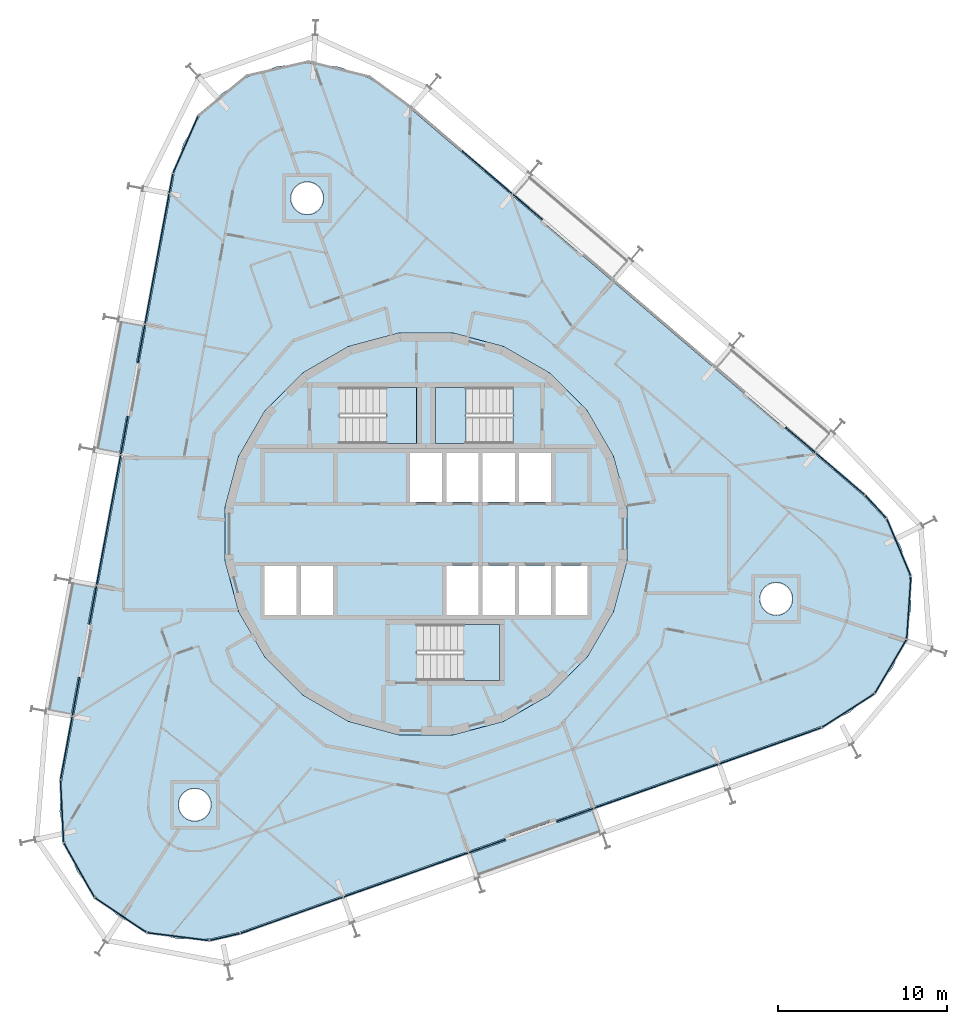
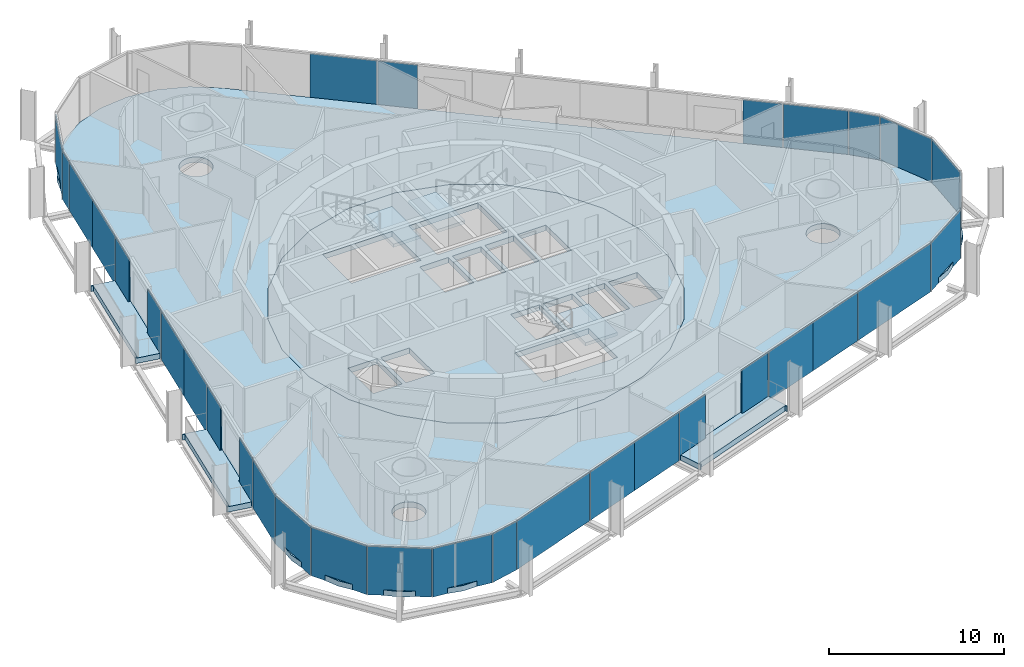
# One storey, part 9 of 17: 33 plates, 8 slabs, 9 elements without a shape of their own.
"""IFC4 building model written with IfcOpenShell, lengths in metres."""

from ifc_helpers import new_model, si_unit, direction, frame, origin, origin_2d, place, context, subcontext, project, spatial, polyline, rectangle, outline, extrude, material, layer, layer_set, type_object, element, aggregate, save


model = new_model("IFC4")

# Units and contexts
model_context = context("Model", 3, precision=1e-05, world=origin(), true_north=direction((0.0, 1.0)))
body_context = subcontext(model_context, "Body", "Model", "MODEL_VIEW")
ifc_project = project(units=[si_unit("LENGTHUNIT", "METRE"), si_unit("AREAUNIT", "SQUARE_METRE"), si_unit("VOLUMEUNIT", "CUBIC_METRE"), si_unit("PLANEANGLEUNIT", "RADIAN"), si_unit("MASSUNIT", "GRAM", prefix="KILO")], contexts=[model_context])

# Site, building, storey
site_placement = place(None, origin())
site = spatial("IfcSite", under=ifc_project, at=site_placement, CompositionType="ELEMENT")
building_placement = place(site_placement, origin())
building = spatial("IfcBuilding", under=site, at=building_placement, Name="Spindle Arch Residences", CompositionType="ELEMENT")
storey_placement = place(building_placement, frame((0.0, 0.0, 169.199951171875)))
storey = spatial("IfcBuildingStorey", under=building, at=storey_placement, Name="L42", CompositionType="ELEMENT", Elevation=169.199951171875)

# Slabs
ifc_material_1 = material(Name="Concrete C40/50", Category="concrete")
ifc_layer_1 = layer(ifc_material_1, 0.3798828125)
ifc_layer_set_1 = layer_set([ifc_layer_1], Name="Balcony slab 380")
slab_type_1 = type_object("IfcSlabType", Name="Balcony slab 380", PredefinedType="FLOOR", material=ifc_layer_set_1)
slab_1_placement = place(storey_placement, frame((0.0, 0.0, -0.3798828125)))
element("IfcSlab", 1, at=slab_1_placement, inside=storey, type_object=slab_type_1, Name="Balcony L42 bay 14", PredefinedType="FLOOR", context=body_context, shape_type="SweptSolid", body=[
    extrude(outline(polyline([(-18.1875, 12.620849609375), (-18.201171875, 12.547119140625), (-18.0537109375, 12.519775390625), (-19.431396484375, 5.086181640625), (-19.578857421875, 5.113525390625), (-19.592529296875, 5.039794921875), (-18.12744140625, 4.768310546875), (-17.716552734375, 6.985595703125), (-17.559326171875, 6.95654296875), (-16.97607421875, 10.102783203125), (-17.133544921875, 10.132080078125), (-16.722412109375, 12.349365234375), (-18.1875, 12.620849609375)])), origin(), (0.0, 0.0, 1.0), 0.3798828125),
])
slab_2_placement = place(storey_placement, frame((0.0, 0.0, -0.3798828125)))
element("IfcSlab", 2, at=slab_2_placement, inside=storey, type_object=slab_type_1, Name="Balcony L42 bay 16", PredefinedType="FLOOR", context=body_context, shape_type="SweptSolid", body=[
    extrude(outline(polyline([(-21.05224609375, -2.836181640625), (-21.06591796875, -2.909912109375), (-20.91845703125, -2.937255859375), (-22.296142578125, -10.37060546875), (-22.443603515625, -10.34326171875), (-22.457275390625, -10.4169921875), (-20.9921875, -10.6884765625), (-20.581298828125, -8.47119140625), (-20.424072265625, -8.50048828125), (-19.8408203125, -5.35400390625), (-19.998291015625, -5.324951171875), (-19.587158203125, -3.107666015625), (-21.05224609375, -2.836181640625)])), origin(), (0.0, 0.0, 1.0), 0.3798828125),
])
slab_3_placement = place(storey_placement, frame((0.0, 0.0, -0.3798828125)))
element("IfcSlab", 3, at=slab_3_placement, inside=storey, type_object=slab_type_1, Name="Balcony L42 bay 22", PredefinedType="FLOOR", context=body_context, shape_type="SweptSolid", body=[
    extrude(outline(polyline([(3.103271484375, -20.31201171875), (3.174072265625, -20.287109375), (3.1240234375, -20.145751953125), (10.250244140625, -17.6220703125), (10.300537109375, -17.763427734375), (10.37109375, -17.738525390625), (9.873779296875, -16.333984375), (7.748046875, -17.086669921875), (7.694580078125, -16.935791015625), (4.67822265625, -18.00390625), (4.731689453125, -18.15478515625), (2.60595703125, -18.907470703125), (3.103271484375, -20.31201171875)])), origin(), (0.0, 0.0, 1.0), 0.3798828125),
])
ifc_material_2 = material(Name="Concrete C50/60", Category="concrete")
ifc_layer_2 = layer(ifc_material_2, 0.3798828125)
ifc_layer_set_2 = layer_set([ifc_layer_2], Name="Core floor slab 380")
slab_type_2 = type_object("IfcSlabType", Name="Core floor slab 380", PredefinedType="FLOOR", material=ifc_layer_set_2)
slab_4_placement = place(storey_placement, frame((0.0, 0.0, -0.3798828125)))
element("IfcSlab", 4, at=slab_4_placement, inside=storey, type_object=slab_type_2, Name="Core floor L42", PredefinedType="FLOOR", context=body_context, shape_type="SweptSolid", body=[
    extrude(outline(polyline([(1.56640625, -11.897216796875), (4.59228515625, -11.086669921875), (7.30517578125, -9.520263671875), (9.520263671875, -7.30517578125), (11.086669921875, -4.59228515625), (11.897216796875, -1.56640625), (11.897216796875, 1.56640625), (11.086669921875, 4.59228515625), (9.520263671875, 7.30517578125), (7.30517578125, 9.520263671875), (4.59228515625, 11.086669921875), (1.56640625, 11.897216796875), (-1.56640625, 11.897216796875), (-4.59228515625, 11.086669921875), (-7.30517578125, 9.520263671875), (-9.520263671875, 7.30517578125), (-11.086669921875, 4.59228515625), (-11.897216796875, 1.56640625), (-11.897216796875, -1.56640625), (-11.086669921875, -4.59228515625), (-9.520263671875, -7.30517578125), (-7.30517578125, -9.520263671875), (-4.59228515625, -11.086669921875), (-1.56640625, -11.897216796875), (1.56640625, -11.897216796875)]), holes=[polyline([(-0.949951171875, 1.89990234375), (0.949951171875, 1.89990234375), (0.949951171875, 4.800048828125), (-0.949951171875, 4.800048828125), (-0.949951171875, 1.89990234375)]), polyline([(1.199951171875, 1.89990234375), (3.10009765625, 1.89990234375), (3.10009765625, 4.800048828125), (1.199951171875, 4.800048828125), (1.199951171875, 1.89990234375)]), polyline([(3.35009765625, 1.89990234375), (5.25, 1.89990234375), (5.25, 4.800048828125), (3.35009765625, 4.800048828125), (3.35009765625, 1.89990234375)]), polyline([(5.5, 1.89990234375), (7.39990234375, 1.89990234375), (7.39990234375, 4.800048828125), (5.5, 4.800048828125), (5.5, 1.89990234375)]), polyline([(-9.550048828125, -4.800048828125), (-7.64990234375, -4.800048828125), (-7.64990234375, -1.89990234375), (-9.550048828125, -1.89990234375), (-9.550048828125, -4.800048828125)]), polyline([(-7.39990234375, -4.800048828125), (-5.5, -4.800048828125), (-5.5, -1.89990234375), (-7.39990234375, -1.89990234375), (-7.39990234375, -4.800048828125)]), polyline([(1.199951171875, -4.800048828125), (3.10009765625, -4.800048828125), (3.10009765625, -1.89990234375), (1.199951171875, -1.89990234375), (1.199951171875, -4.800048828125)]), polyline([(3.35009765625, -4.800048828125), (5.25, -4.800048828125), (5.25, -1.89990234375), (3.35009765625, -1.89990234375), (3.35009765625, -4.800048828125)]), polyline([(5.5, -4.800048828125), (7.39990234375, -4.800048828125), (7.39990234375, -1.89990234375), (5.5, -1.89990234375), (5.5, -4.800048828125)]), polyline([(7.64990234375, -4.800048828125), (9.550048828125, -4.800048828125), (9.550048828125, -1.89990234375), (7.64990234375, -1.89990234375), (7.64990234375, -4.800048828125)]), polyline([(5.1298828125, 8.669921875), (0.550048828125, 8.669921875), (0.550048828125, 5.35009765625), (5.1298828125, 5.35009765625), (5.1298828125, 8.669921875)]), polyline([(-5.1298828125, 5.35009765625), (-0.550048828125, 5.35009765625), (-0.550048828125, 8.669921875), (-5.1298828125, 8.669921875), (-5.1298828125, 5.35009765625)]), polyline([(-0.530029296875, -8.669921875), (4.35009765625, -8.669921875), (4.35009765625, -5.35009765625), (-0.530029296875, -5.35009765625), (-0.530029296875, -8.669921875)])]), origin(), (0.0, 0.0, 1.0), 0.3798828125),
])

# Stair, slab
ifc_material_3 = material(Name="Concrete C50/60", Category="concrete")
stair_type = type_object("IfcStairType", Name="Exit stair 16 risers", PredefinedType="HALF_TURN_STAIR", material=ifc_material_3)
stair_1_placement = place(storey_placement, origin())
stair_1 = element("IfcStair", 5, at=stair_1_placement, inside=storey, type_object=stair_type, Name="L42 Exit stair ST1", PredefinedType="HALF_TURN_STAIR")
ifc_material_4 = material(Name="Concrete C50/60", Category="concrete")
ifc_layer_3 = layer(ifc_material_4, 0.219970703125)
ifc_layer_set_3 = layer_set([ifc_layer_3], Name="Exit stair landing 220")
slab_type_3 = type_object("IfcSlabType", Name="Exit stair landing 220", PredefinedType="LANDING", material=ifc_layer_set_3)
slab_5_placement = place(storey_placement, frame((0.0, 0.0, 1.530029296875)))
slab_5 = element("IfcSlab", 6, at=slab_5_placement, type_object=slab_type_3, Name="ST1 landing 1", PredefinedType="LANDING", context=body_context, shape_type="SweptSolid", body=[
    extrude(outline(polyline([(2.3701171875, 8.669921875), (0.550048828125, 8.669921875), (0.550048828125, 5.35009765625), (2.3701171875, 5.35009765625), (2.3701171875, 8.669921875)])), origin(), (0.0, 0.0, 1.0), 0.219970703125),
])
aggregate(stair_1, [slab_5])

stair_2_placement = place(storey_placement, origin())
stair_2 = element("IfcStair", 7, at=stair_2_placement, inside=storey, type_object=stair_type, Name="L42 Exit stair ST2", PredefinedType="HALF_TURN_STAIR")
slab_6_placement = place(storey_placement, frame((0.0, 0.0, 1.530029296875)))
slab_6 = element("IfcSlab", 8, at=slab_6_placement, type_object=slab_type_3, Name="ST2 landing 1", PredefinedType="LANDING", context=body_context, shape_type="SweptSolid", body=[
    extrude(outline(polyline([(-2.3701171875, 5.35009765625), (-0.550048828125, 5.35009765625), (-0.550048828125, 8.669921875), (-2.3701171875, 8.669921875), (-2.3701171875, 5.35009765625)])), origin(), (0.0, 0.0, 1.0), 0.219970703125),
])
aggregate(stair_2, [slab_6])

stair_3_placement = place(storey_placement, origin())
stair_3 = element("IfcStair", 9, at=stair_3_placement, inside=storey, type_object=stair_type, Name="L42 Exit stair ST3", PredefinedType="HALF_TURN_STAIR")
slab_7_placement = place(storey_placement, frame((0.0, 0.0, 1.530029296875)))
slab_7 = element("IfcSlab", 10, at=slab_7_placement, type_object=slab_type_3, Name="ST3 landing 1", PredefinedType="LANDING", context=body_context, shape_type="SweptSolid", body=[
    extrude(outline(polyline([(2.22998046875, -8.669921875), (4.35009765625, -8.669921875), (4.35009765625, -5.35009765625), (2.22998046875, -5.35009765625), (2.22998046875, -8.669921875)])), origin(), (0.0, 0.0, 1.0), 0.219970703125),
])
aggregate(stair_3, [slab_7])

# Slab
ifc_material_5 = material(Name="Concrete C40/50", Category="concrete")
ifc_layer_4 = layer(ifc_material_5, 0.3798828125)
ifc_layer_set_4 = layer_set([ifc_layer_4], Name="Floor slab 380")
slab_type_4 = type_object("IfcSlabType", Name="Floor slab 380", PredefinedType="FLOOR", material=ifc_layer_set_4)
slab_8_placement = place(storey_placement, frame((0.0, 0.0, -0.3798828125)))
element("IfcSlab", 11, at=slab_8_placement, inside=storey, type_object=slab_type_4, Name="Floor slab L42", PredefinedType="FLOOR", context=body_context, shape_type="SweptSolid", body=[
    extrude(outline(polyline([(-12.82177734375, -23.972412109375), (-14.67919921875, -23.9560546875), (-16.48291015625, -23.511962890625), (-18.135498046875, -22.663818359375), (-19.5478515625, -21.45751953125), (-20.64404296875, -19.9580078125), (-21.36474609375, -18.24609375), (-21.67138671875, -16.4140625), (-21.547119140625, -14.560791015625), (-14.89794921875, 21.3154296875), (-14.349609375, 23.090087890625), (-13.406982421875, 24.690673828125), (-12.12060546875, 26.030517578125), (-10.559814453125, 27.03759765625), (-8.808837890625, 27.65771484375), (-6.962158203125, 27.857421875), (-5.119140625, 27.62548828125), (-3.37939453125, 26.97509765625), (-1.83642578125, 25.94091796875), (25.90869140625, 2.244384765625), (27.171630859375, 0.882080078125), (28.086181640625, -0.734619140625), (28.603515625, -2.5185546875), (28.6953125, -4.373779296875), (28.356689453125, -6.2001953125), (27.606201171875, -7.8994140625), (26.48388671875, -9.37939453125), (25.05078125, -10.56103515625), (23.383544921875, -11.380126953125), (6.186279296875, -17.469970703125), (-11.0107421875, -23.559814453125), (-12.82177734375, -23.972412109375)]), holes=[polyline([(7.30517578125, -9.520263671875), (9.520263671875, -7.30517578125), (11.086669921875, -4.59228515625), (11.897216796875, -1.56640625), (11.897216796875, 1.56640625), (11.086669921875, 4.59228515625), (9.520263671875, 7.30517578125), (7.30517578125, 9.520263671875), (4.59228515625, 11.086669921875), (1.56640625, 11.897216796875), (-1.56640625, 11.897216796875), (-4.59228515625, 11.086669921875), (-7.30517578125, 9.520263671875), (-9.520263671875, 7.30517578125), (-11.086669921875, 4.59228515625), (-11.897216796875, 1.56640625), (-11.897216796875, -1.56640625), (-11.086669921875, -4.59228515625), (-9.520263671875, -7.30517578125), (-7.30517578125, -9.520263671875), (-4.59228515625, -11.086669921875), (-1.56640625, -11.897216796875), (1.56640625, -11.897216796875), (4.59228515625, -11.086669921875), (7.30517578125, -9.520263671875)]), polyline([(-12.99169921875, -16.7080078125), (-12.87060546875, -16.560302734375), (-12.780517578125, -16.3916015625), (-12.724853515625, -16.208740234375), (-12.706298828125, -16.0185546875), (-12.724853515625, -15.828369140625), (-12.780517578125, -15.6455078125), (-12.87060546875, -15.476806640625), (-12.99169921875, -15.3291015625), (-13.139404296875, -15.2080078125), (-13.30810546875, -15.117919921875), (-13.490966796875, -15.062255859375), (-13.68115234375, -15.043701171875), (-13.871337890625, -15.062255859375), (-14.05419921875, -15.117919921875), (-14.222900390625, -15.2080078125), (-14.37060546875, -15.3291015625), (-14.491943359375, -15.476806640625), (-14.58203125, -15.6455078125), (-14.637451171875, -15.828369140625), (-14.65625, -16.0185546875), (-14.637451171875, -16.208740234375), (-14.58203125, -16.3916015625), (-14.491943359375, -16.560302734375), (-14.37060546875, -16.7080078125), (-14.222900390625, -16.829345703125), (-14.05419921875, -16.91943359375), (-13.871337890625, -16.974853515625), (-13.68115234375, -16.99365234375), (-13.490966796875, -16.974853515625), (-13.30810546875, -16.91943359375), (-13.139404296875, -16.829345703125), (-12.99169921875, -16.7080078125)]), polyline([(-6.22119140625, 19.31591796875), (-6.131103515625, 19.484619140625), (-6.07568359375, 19.66748046875), (-6.056884765625, 19.857666015625), (-6.07568359375, 20.0478515625), (-6.131103515625, 20.230712890625), (-6.22119140625, 20.3994140625), (-6.342529296875, 20.547119140625), (-6.490234375, 20.668212890625), (-6.65869140625, 20.75830078125), (-6.841796875, 20.81396484375), (-7.031982421875, 20.83251953125), (-7.22216796875, 20.81396484375), (-7.405029296875, 20.75830078125), (-7.573486328125, 20.668212890625), (-7.72119140625, 20.547119140625), (-7.842529296875, 20.3994140625), (-7.9326171875, 20.230712890625), (-7.98828125, 20.0478515625), (-8.0068359375, 19.857666015625), (-7.98828125, 19.66748046875), (-7.9326171875, 19.484619140625), (-7.842529296875, 19.31591796875), (-7.72119140625, 19.168212890625), (-7.573486328125, 19.046875), (-7.405029296875, 18.956787109375), (-7.22216796875, 18.9013671875), (-7.031982421875, 18.882568359375), (-6.841796875, 18.9013671875), (-6.65869140625, 18.956787109375), (-6.490234375, 19.046875), (-6.342529296875, 19.168212890625), (-6.22119140625, 19.31591796875)]), polyline([(21.523681640625, -4.380615234375), (21.614013671875, -4.212158203125), (21.66943359375, -4.029296875), (21.68798828125, -3.839111328125), (21.66943359375, -3.648681640625), (21.614013671875, -3.4658203125), (21.523681640625, -3.29736328125), (21.402587890625, -3.149658203125), (21.2548828125, -3.0283203125), (21.086181640625, -2.938232421875), (20.9033203125, -2.8828125), (20.713134765625, -2.864013671875), (20.52294921875, -2.8828125), (20.340087890625, -2.938232421875), (20.17138671875, -3.0283203125), (20.023681640625, -3.149658203125), (19.90234375, -3.29736328125), (19.812255859375, -3.4658203125), (19.7568359375, -3.648681640625), (19.738037109375, -3.839111328125), (19.7568359375, -4.029296875), (19.812255859375, -4.212158203125), (19.90234375, -4.380615234375), (20.023681640625, -4.5283203125), (20.17138671875, -4.649658203125), (20.340087890625, -4.73974609375), (20.52294921875, -4.79541015625), (20.713134765625, -4.81396484375), (20.9033203125, -4.79541015625), (21.086181640625, -4.73974609375), (21.2548828125, -4.649658203125), (21.402587890625, -4.5283203125), (21.523681640625, -4.380615234375)])]), origin(), (0.0, 0.0, 1.0), 0.3798828125),
])

# Curtain wall, plates
ifc_material_6 = material(Name="Aluminium bronze unitised frame with tinted glass", Category="aluminium")
ifc_layer_5 = layer(ifc_material_6, 0.159912109375)
ifc_layer_set_5 = layer_set([ifc_layer_5], Name="CW-D corner wall on the fillet arcs")
curtain_wall_type_1 = type_object("IfcCurtainWallType", Name="CW-D corner wall on the fillet arcs", PredefinedType="NOTDEFINED", material=ifc_layer_set_5)
curtain_wall_1_placement = place(storey_placement, origin())
curtain_wall_1 = element("IfcCurtainWall", 12, at=curtain_wall_1_placement, inside=storey, type_object=curtain_wall_type_1, Name="CW-D L42 run 1", PredefinedType="NOTDEFINED")
ifc_material_7 = material(Name="Tinted double glazing over aluminium faced non-combustible spandrel zone (K0)", Category="aluminium")
ifc_layer_6 = layer(ifc_material_7, 0.06005859375)
ifc_layer_set_6 = layer_set([ifc_layer_6], Name="Unitised glass panel with E 60 spandrel zone")
plate_type = type_object("IfcPlateType", Name="Unitised glass panel with E 60 spandrel zone", PredefinedType="CURTAIN_PANEL", material=ifc_layer_set_6)
plate_1_placement = place(storey_placement, frame((20.36865234375, -12.53271484375, -0.3798828125), z_axis=(0.0, 0.0, 1.0), x_axis=(0.942641491092, 0.333806859234, 0.0)))
plate_1 = element("IfcPlate", 13, at=plate_1_placement, type_object=plate_type, Name="CW-D unit 00", PredefinedType="CURTAIN_PANEL", context=body_context, shape_type="SweptSolid", body=[
    extrude(rectangle(XDim=6.3935546875, YDim=0.06005859375, at=origin_2d()), origin(), (0.0, 0.0, 1.0), 3.3798828125),
])
plate_2_placement = place(storey_placement, frame((24.97607421875, -10.445068359375, -0.3798828125), z_axis=(0.0, 0.0, 1.0), x_axis=(0.840251309898, 0.542197137778, 0.0)))
plate_2 = element("IfcPlate", 14, at=plate_2_placement, type_object=plate_type, Name="CW-D unit 01", PredefinedType="CURTAIN_PANEL", context=body_context, shape_type="SweptSolid", body=[
    extrude(rectangle(XDim=3.666748046875, YDim=0.06005859375, at=origin_2d()), origin(), (0.0, 0.0, 1.0), 3.3798828125),
])
plate_3_placement = place(storey_placement, frame((27.487548828125, -7.829345703125, -0.3798828125), z_axis=(0.0, 0.0, 1.0), x_axis=(0.507538365713, 0.86162915882, 0.0)))
plate_3 = element("IfcPlate", 15, at=plate_3_placement, type_object=plate_type, Name="CW-D unit 02", PredefinedType="CURTAIN_PANEL", context=body_context, shape_type="SweptSolid", body=[
    extrude(rectangle(XDim=3.666748046875, YDim=0.06005859375, at=origin_2d()), origin(), (0.0, 0.0, 1.0), 3.3798828125),
])
plate_4_placement = place(storey_placement, frame((28.557861328125, -4.364501953125, -0.3798828125), z_axis=(0.0, 0.0, 1.0), x_axis=(0.066854392204, 0.997762742461, 0.0)))
plate_4 = element("IfcPlate", 16, at=plate_4_placement, type_object=plate_type, Name="CW-D unit 03", PredefinedType="CURTAIN_PANEL", context=body_context, shape_type="SweptSolid", body=[
    extrude(rectangle(XDim=3.666748046875, YDim=0.06005859375, at=origin_2d()), origin(), (0.0, 0.0, 1.0), 3.3798828125),
])
plate_5_placement = place(storey_placement, frame((27.959228515625, -0.7880859375, -0.3798828125), z_axis=(0.0, 0.0, 1.0), x_axis=(-0.388051836633, 0.921637549195, 0.0)))
plate_5 = element("IfcPlate", 17, at=plate_5_placement, type_object=plate_type, Name="CW-D unit 04", PredefinedType="CURTAIN_PANEL", context=body_context, shape_type="SweptSolid", body=[
    extrude(rectangle(XDim=3.666748046875, YDim=0.06005859375, at=origin_2d()), origin(), (0.0, 0.0, 1.0), 3.3798828125),
])
plate_6_placement = place(storey_placement, frame((26.598388671875, 1.6171875, -0.3798828125), z_axis=(0.0, 0.0, 1.0), x_axis=(-0.679868057543, 0.733334455983, 0.0)))
plate_6 = element("IfcPlate", 18, at=plate_6_placement, type_object=plate_type, Name="CW-D unit 05", PredefinedType="CURTAIN_PANEL", context=body_context, shape_type="SweptSolid", body=[
    extrude(rectangle(XDim=1.816162109375, YDim=0.06005859375, at=origin_2d()), origin(), (0.0, 0.0, 1.0), 3.3798828125),
])
plate_7_placement = place(storey_placement, frame((24.503173828125, 3.550048828125, -0.3798828125), z_axis=(0.0, 0.0, 1.0), x_axis=(-0.7604059656, 0.64944804833, 0.0)))
plate_7 = element("IfcPlate", 19, at=plate_7_placement, type_object=plate_type, Name="CW-D unit 06", PredefinedType="CURTAIN_PANEL", context=body_context, shape_type="SweptSolid", body=[
    extrude(rectangle(XDim=3.7734375, YDim=0.06005859375, at=origin_2d()), origin(), (0.0, 0.0, 1.0), 3.3798828125),
])
aggregate(curtain_wall_1, [plate_1, plate_2, plate_3, plate_4, plate_5, plate_6, plate_7])

ifc_material_8 = material(Name="Aluminium bronze unitised frame with tinted glass", Category="aluminium")
ifc_layer_7 = layer(ifc_material_8, 0.159912109375)
ifc_layer_set_7 = layer_set([ifc_layer_7], Name="CW-C typical residential unitised wall")
curtain_wall_type_2 = type_object("IfcCurtainWallType", Name="CW-C typical residential unitised wall", PredefinedType="NOTDEFINED", material=ifc_layer_set_7)
curtain_wall_2_placement = place(storey_placement, origin())
curtain_wall_2 = element("IfcCurtainWall", 20, at=curtain_wall_2_placement, inside=storey, type_object=curtain_wall_type_2, Name="CW-C L42 run 2", PredefinedType="NOTDEFINED")
plate_8_placement = place(storey_placement, frame((22.1484375, 5.56103515625, -0.3798828125), z_axis=(0.0, 0.0, 1.0), x_axis=(-0.7604059656, 0.64944804833, 0.0)))
plate_8 = element("IfcPlate", 21, at=plate_8_placement, type_object=plate_type, Name="CW-C unit 05L", PredefinedType="CURTAIN_PANEL", context=body_context, shape_type="SweptSolid", body=[
    extrude(rectangle(XDim=2.300048828125, YDim=0.06005859375, at=origin_2d()), origin(), (0.0, 0.0, 1.0), 3.3798828125),
])
plate_9_placement = place(storey_placement, frame((6.012451171875, 19.342529296875, -0.3798828125), z_axis=(0.0, 0.0, 1.0), x_axis=(-0.7604059656, 0.64944804833, 0.0)))
plate_9 = element("IfcPlate", 22, at=plate_9_placement, type_object=plate_type, Name="CW-C unit 07R", PredefinedType="CURTAIN_PANEL", context=body_context, shape_type="SweptSolid", body=[
    extrude(rectangle(XDim=2.300048828125, YDim=0.06005859375, at=origin_2d()), origin(), (0.0, 0.0, 1.0), 3.3798828125),
])
plate_10_placement = place(storey_placement, frame((3.609619140625, 21.394775390625, -0.3798828125), z_axis=(0.0, 0.0, 1.0), x_axis=(-0.7604059656, 0.64944804833, 0.0)))
plate_10 = element("IfcPlate", 23, at=plate_10_placement, type_object=plate_type, Name="CW-C unit 08A", PredefinedType="CURTAIN_PANEL", context=body_context, shape_type="SweptSolid", body=[
    extrude(rectangle(XDim=3.900146484375, YDim=0.06005859375, at=origin_2d()), origin(), (0.0, 0.0, 1.0), 3.3798828125),
])
aggregate(curtain_wall_2, [plate_8, plate_9, plate_10])

curtain_wall_3_placement = place(storey_placement, origin())
curtain_wall_3 = element("IfcCurtainWall", 24, at=curtain_wall_3_placement, inside=storey, type_object=curtain_wall_type_1, Name="CW-D L42 run 3", PredefinedType="NOTDEFINED")
plate_11_placement = place(storey_placement, frame((-14.2236328125, 23.034423828125, -0.3798828125), z_axis=(0.0, 0.0, 1.0), x_axis=(-0.404077526853, -0.914724741271, 0.0)))
plate_11 = element("IfcPlate", 25, at=plate_11_placement, type_object=plate_type, Name="CW-D unit 04", PredefinedType="CURTAIN_PANEL", context=body_context, shape_type="SweptSolid", body=[
    extrude(rectangle(XDim=3.666748046875, YDim=0.06005859375, at=origin_2d()), origin(), (0.0, 0.0, 1.0), 3.3798828125),
])
plate_12_placement = place(storey_placement, frame((-15.087158203125, 20.7333984375, -0.3798828125), z_axis=(0.0, 0.0, 1.0), x_axis=(-0.182235525492, -0.983254907564, 0.0)))
plate_12 = element("IfcPlate", 26, at=plate_12_placement, type_object=plate_type, Name="CW-D unit 05", PredefinedType="CURTAIN_PANEL", context=body_context, shape_type="SweptSolid", body=[
    extrude(rectangle(XDim=1.1533203125, YDim=0.06005859375, at=origin_2d()), origin(), (0.0, 0.0, 1.0), 3.3798828125),
])
aggregate(curtain_wall_3, [plate_11, plate_12])

curtain_wall_4_placement = place(storey_placement, origin())
curtain_wall_4 = element("IfcCurtainWall", 27, at=curtain_wall_4_placement, inside=storey, type_object=curtain_wall_type_2, Name="CW-C L42 run 4", PredefinedType="NOTDEFINED")
plate_13_placement = place(storey_placement, frame((-15.55859375, 18.190185546875, -0.3798828125), z_axis=(0.0, 0.0, 1.0), x_axis=(-0.182235525492, -0.983254907564, 0.0)))
plate_13 = element("IfcPlate", 28, at=plate_13_placement, type_object=plate_type, Name="CW-C unit 12A", PredefinedType="CURTAIN_PANEL", context=body_context, shape_type="SweptSolid", body=[
    extrude(rectangle(XDim=3.900146484375, YDim=0.06005859375, at=origin_2d()), origin(), (0.0, 0.0, 1.0), 3.3798828125),
])
plate_14_placement = place(storey_placement, frame((-16.269287109375, 14.355224609375, -0.3798828125), z_axis=(0.0, 0.0, 1.0), x_axis=(-0.182235525492, -0.983254907564, 0.0)))
plate_14 = element("IfcPlate", 29, at=plate_14_placement, type_object=plate_type, Name="CW-C unit 12B", PredefinedType="CURTAIN_PANEL", context=body_context, shape_type="SweptSolid", body=[
    extrude(rectangle(XDim=3.900146484375, YDim=0.06005859375, at=origin_2d()), origin(), (0.0, 0.0, 1.0), 3.3798828125),
])
plate_15_placement = place(storey_placement, frame((-16.84521484375, 11.248291015625, -0.3798828125), z_axis=(0.0, 0.0, 1.0), x_axis=(-0.182235525492, -0.983254907564, 0.0)))
plate_15 = element("IfcPlate", 30, at=plate_15_placement, type_object=plate_type, Name="CW-C unit 13L", PredefinedType="CURTAIN_PANEL", context=body_context, shape_type="SweptSolid", body=[
    extrude(rectangle(XDim=2.300048828125, YDim=0.06005859375, at=origin_2d()), origin(), (0.0, 0.0, 1.0), 3.3798828125),
])
plate_16_placement = place(storey_placement, frame((-17.847412109375, 5.84033203125, -0.3798828125), z_axis=(0.0, 0.0, 1.0), x_axis=(-0.182235525492, -0.983254907564, 0.0)))
plate_16 = element("IfcPlate", 31, at=plate_16_placement, type_object=plate_type, Name="CW-C unit 13R", PredefinedType="CURTAIN_PANEL", context=body_context, shape_type="SweptSolid", body=[
    extrude(rectangle(XDim=2.300048828125, YDim=0.06005859375, at=origin_2d()), origin(), (0.0, 0.0, 1.0), 3.3798828125),
])
plate_17_placement = place(storey_placement, frame((-18.42333984375, 2.733154296875, -0.3798828125), z_axis=(0.0, 0.0, 1.0), x_axis=(-0.182235525492, -0.983254907564, 0.0)))
plate_17 = element("IfcPlate", 32, at=plate_17_placement, type_object=plate_type, Name="CW-C unit 14A", PredefinedType="CURTAIN_PANEL", context=body_context, shape_type="SweptSolid", body=[
    extrude(rectangle(XDim=3.900146484375, YDim=0.06005859375, at=origin_2d()), origin(), (0.0, 0.0, 1.0), 3.3798828125),
])
plate_18_placement = place(storey_placement, frame((-19.134033203125, -1.1015625, -0.3798828125), z_axis=(0.0, 0.0, 1.0), x_axis=(-0.182235525492, -0.983254907564, 0.0)))
plate_18 = element("IfcPlate", 33, at=plate_18_placement, type_object=plate_type, Name="CW-C unit 14B", PredefinedType="CURTAIN_PANEL", context=body_context, shape_type="SweptSolid", body=[
    extrude(rectangle(XDim=3.900146484375, YDim=0.06005859375, at=origin_2d()), origin(), (0.0, 0.0, 1.0), 3.3798828125),
])
plate_19_placement = place(storey_placement, frame((-19.7099609375, -4.208740234375, -0.3798828125), z_axis=(0.0, 0.0, 1.0), x_axis=(-0.182235525492, -0.983254907564, 0.0)))
plate_19 = element("IfcPlate", 34, at=plate_19_placement, type_object=plate_type, Name="CW-C unit 15L", PredefinedType="CURTAIN_PANEL", context=body_context, shape_type="SweptSolid", body=[
    extrude(rectangle(XDim=2.300048828125, YDim=0.06005859375, at=origin_2d()), origin(), (0.0, 0.0, 1.0), 3.3798828125),
])
plate_20_placement = place(storey_placement, frame((-20.712158203125, -9.61669921875, -0.3798828125), z_axis=(0.0, 0.0, 1.0), x_axis=(-0.182235525492, -0.983254907564, 0.0)))
plate_20 = element("IfcPlate", 35, at=plate_20_placement, type_object=plate_type, Name="CW-C unit 15R", PredefinedType="CURTAIN_PANEL", context=body_context, shape_type="SweptSolid", body=[
    extrude(rectangle(XDim=2.300048828125, YDim=0.06005859375, at=origin_2d()), origin(), (0.0, 0.0, 1.0), 3.3798828125),
])
aggregate(curtain_wall_4, [plate_13, plate_14, plate_15, plate_16, plate_17, plate_18, plate_19, plate_20])

curtain_wall_5_placement = place(storey_placement, origin())
curtain_wall_5 = element("IfcCurtainWall", 36, at=curtain_wall_5_placement, inside=storey, type_object=curtain_wall_type_1, Name="CW-D L42 run 5", PredefinedType="NOTDEFINED")
plate_21_placement = place(storey_placement, frame((-21.276611328125, -12.66162109375, -0.3798828125), z_axis=(0.0, 0.0, 1.0), x_axis=(-0.182235525492, -0.983254907564, 0.0)))
plate_21 = element("IfcPlate", 37, at=plate_21_placement, type_object=plate_type, Name="CW-D unit 00", PredefinedType="CURTAIN_PANEL", context=body_context, shape_type="SweptSolid", body=[
    extrude(rectangle(XDim=3.7734375, YDim=0.06005859375, at=origin_2d()), origin(), (0.0, 0.0, 1.0), 3.3798828125),
])
plate_22_placement = place(storey_placement, frame((-21.53369140625, -16.4072265625, -0.3798828125), z_axis=(0.0, 0.0, 1.0), x_axis=(0.049430843939, -0.99877754864, 0.0)))
plate_22 = element("IfcPlate", 38, at=plate_22_placement, type_object=plate_type, Name="CW-D unit 01", PredefinedType="CURTAIN_PANEL", context=body_context, shape_type="SweptSolid", body=[
    extrude(rectangle(XDim=3.666748046875, YDim=0.06005859375, at=origin_2d()), origin(), (0.0, 0.0, 1.0), 3.3798828125),
])
plate_23_placement = place(storey_placement, frame((-20.524169921875, -19.89013671875, -0.3798828125), z_axis=(0.0, 0.0, 1.0), x_axis=(0.492423562185, -0.870355694762, 0.0)))
plate_23 = element("IfcPlate", 39, at=plate_23_placement, type_object=plate_type, Name="CW-D unit 02", PredefinedType="CURTAIN_PANEL", context=body_context, shape_type="SweptSolid", body=[
    extrude(rectangle(XDim=3.666748046875, YDim=0.06005859375, at=origin_2d()), origin(), (0.0, 0.0, 1.0), 3.3798828125),
])
plate_24_placement = place(storey_placement, frame((-18.05859375, -22.549560546875, -0.3798828125), z_axis=(0.0, 0.0, 1.0), x_axis=(0.830660688705, -0.556778968928, 0.0)))
plate_24 = element("IfcPlate", 40, at=plate_24_placement, type_object=plate_type, Name="CW-D unit 03", PredefinedType="CURTAIN_PANEL", context=body_context, shape_type="SweptSolid", body=[
    extrude(rectangle(XDim=3.666748046875, YDim=0.06005859375, at=origin_2d()), origin(), (0.0, 0.0, 1.0), 3.3798828125),
])
plate_25_placement = place(storey_placement, frame((-14.662109375, -23.8193359375, -0.3798828125), z_axis=(0.0, 0.0, 1.0), x_axis=(0.992187449327, -0.12475602349, 0.0)))
plate_25 = element("IfcPlate", 41, at=plate_25_placement, type_object=plate_type, Name="CW-D unit 04", PredefinedType="CURTAIN_PANEL", context=body_context, shape_type="SweptSolid", body=[
    extrude(rectangle(XDim=3.666748046875, YDim=0.06005859375, at=origin_2d()), origin(), (0.0, 0.0, 1.0), 3.3798828125),
])
plate_26_placement = place(storey_placement, frame((-11.898681640625, -23.843505859375, -0.3798828125), z_axis=(0.0, 0.0, 1.0), x_axis=(0.975020297465, 0.222115779565, 0.0)))
plate_26 = element("IfcPlate", 42, at=plate_26_placement, type_object=plate_type, Name="CW-D unit 05", PredefinedType="CURTAIN_PANEL", context=body_context, shape_type="SweptSolid", body=[
    extrude(rectangle(XDim=1.816162109375, YDim=0.06005859375, at=origin_2d()), origin(), (0.0, 0.0, 1.0), 3.3798828125),
])
plate_27_placement = place(storey_placement, frame((-7.9423828125, -22.55810546875, -0.3798828125), z_axis=(0.0, 0.0, 1.0), x_axis=(0.942641491092, 0.333806859234, 0.0)))
plate_27 = element("IfcPlate", 43, at=plate_27_placement, type_object=plate_type, Name="CW-D unit 06", PredefinedType="CURTAIN_PANEL", context=body_context, shape_type="SweptSolid", body=[
    extrude(rectangle(XDim=6.3935546875, YDim=0.06005859375, at=origin_2d()), origin(), (0.0, 0.0, 1.0), 3.3798828125),
])
aggregate(curtain_wall_5, [plate_21, plate_22, plate_23, plate_24, plate_25, plate_26, plate_27])

curtain_wall_6_placement = place(storey_placement, origin())
curtain_wall_6 = element("IfcCurtainWall", 44, at=curtain_wall_6_placement, inside=storey, type_object=curtain_wall_type_2, Name="CW-C L42 run 6", PredefinedType="NOTDEFINED")
plate_28_placement = place(storey_placement, frame((-3.0341796875, -20.820068359375, -0.3798828125), z_axis=(0.0, 0.0, 1.0), x_axis=(0.942641491092, 0.333806859234, 0.0)))
plate_28 = element("IfcPlate", 45, at=plate_28_placement, type_object=plate_type, Name="CW-C unit 20A", PredefinedType="CURTAIN_PANEL", context=body_context, shape_type="SweptSolid", body=[
    extrude(rectangle(XDim=3.900146484375, YDim=0.06005859375, at=origin_2d()), origin(), (0.0, 0.0, 1.0), 3.3798828125),
])
plate_29_placement = place(storey_placement, frame((0.64208984375, -19.51806640625, -0.3798828125), z_axis=(0.0, 0.0, 1.0), x_axis=(0.942641491092, 0.333806859234, 0.0)))
plate_29 = element("IfcPlate", 46, at=plate_29_placement, type_object=plate_type, Name="CW-C unit 20B", PredefinedType="CURTAIN_PANEL", context=body_context, shape_type="SweptSolid", body=[
    extrude(rectangle(XDim=3.900146484375, YDim=0.06005859375, at=origin_2d()), origin(), (0.0, 0.0, 1.0), 3.3798828125),
])
plate_30_placement = place(storey_placement, frame((3.620849609375, -18.46337890625, -0.3798828125), z_axis=(0.0, 0.0, 1.0), x_axis=(0.942641491092, 0.333806859234, 0.0)))
plate_30 = element("IfcPlate", 47, at=plate_30_placement, type_object=plate_type, Name="CW-C unit 21L", PredefinedType="CURTAIN_PANEL", context=body_context, shape_type="SweptSolid", body=[
    extrude(rectangle(XDim=2.300048828125, YDim=0.06005859375, at=origin_2d()), origin(), (0.0, 0.0, 1.0), 3.3798828125),
])
plate_31_placement = place(storey_placement, frame((8.805419921875, -16.62744140625, -0.3798828125), z_axis=(0.0, 0.0, 1.0), x_axis=(0.942641491092, 0.333806859234, 0.0)))
plate_31 = element("IfcPlate", 48, at=plate_31_placement, type_object=plate_type, Name="CW-C unit 21R", PredefinedType="CURTAIN_PANEL", context=body_context, shape_type="SweptSolid", body=[
    extrude(rectangle(XDim=2.300048828125, YDim=0.06005859375, at=origin_2d()), origin(), (0.0, 0.0, 1.0), 3.3798828125),
])
plate_32_placement = place(storey_placement, frame((11.7841796875, -15.572509765625, -0.3798828125), z_axis=(0.0, 0.0, 1.0), x_axis=(0.942641491092, 0.333806859234, 0.0)))
plate_32 = element("IfcPlate", 49, at=plate_32_placement, type_object=plate_type, Name="CW-C unit 00A", PredefinedType="CURTAIN_PANEL", context=body_context, shape_type="SweptSolid", body=[
    extrude(rectangle(XDim=3.900146484375, YDim=0.06005859375, at=origin_2d()), origin(), (0.0, 0.0, 1.0), 3.3798828125),
])
plate_33_placement = place(storey_placement, frame((15.46044921875, -14.270751953125, -0.3798828125), z_axis=(0.0, 0.0, 1.0), x_axis=(0.942641491092, 0.333806859234, 0.0)))
plate_33 = element("IfcPlate", 50, at=plate_33_placement, type_object=plate_type, Name="CW-C unit 00B", PredefinedType="CURTAIN_PANEL", context=body_context, shape_type="SweptSolid", body=[
    extrude(rectangle(XDim=3.900146484375, YDim=0.06005859375, at=origin_2d()), origin(), (0.0, 0.0, 1.0), 3.3798828125),
])
aggregate(curtain_wall_6, [plate_28, plate_29, plate_30, plate_31, plate_32, plate_33])

save(model, "model.ifc")
